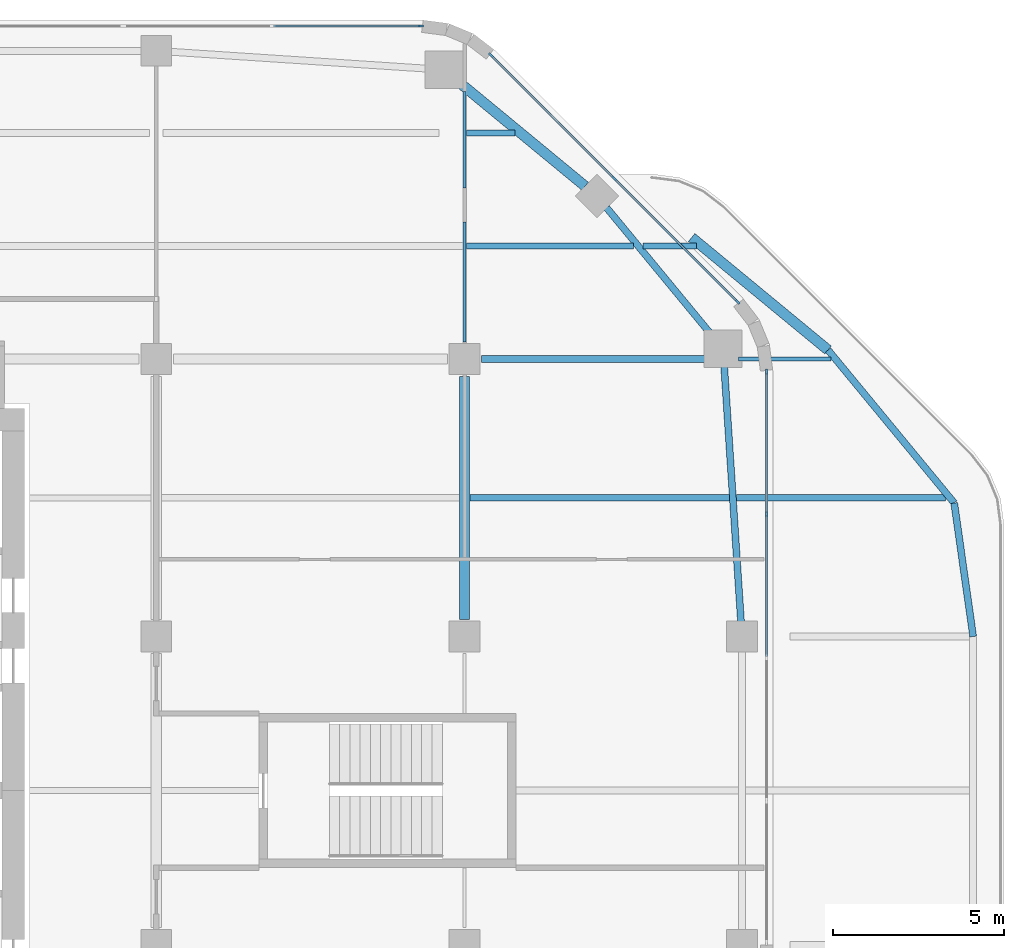
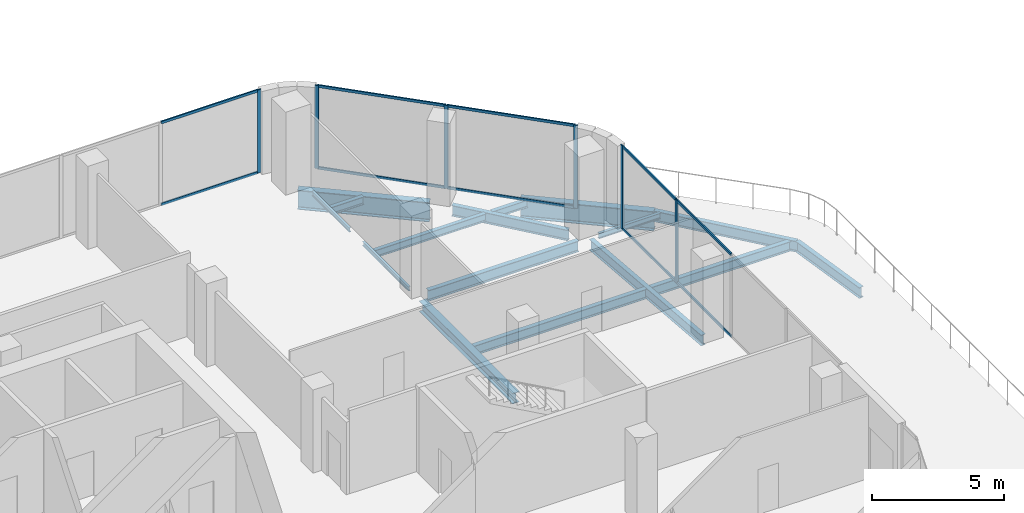
# One storey, part 22 of 29: 16 beams, 16 members, 3 elements without a shape of their own.
"""IFC4 building model written with IfcOpenShell, lengths in metres."""

from ifc_helpers import new_model, si_unit, direction, frame, origin, origin_2d, place, context, subcontext, project, spatial, rectangle, i_section, extrude, material, material_profile, profile_set, type_object, element, aggregate, save


model = new_model("IFC4")

# Units and contexts
model_context = context("Model", 3, precision=1e-05, world=origin(), true_north=direction((0.0, 1.0)))
body_context = subcontext(model_context, "Body", "Model", "MODEL_VIEW")
ifc_project = project(units=[si_unit("LENGTHUNIT", "METRE"), si_unit("AREAUNIT", "SQUARE_METRE"), si_unit("VOLUMEUNIT", "CUBIC_METRE"), si_unit("PLANEANGLEUNIT", "RADIAN"), si_unit("MASSUNIT", "GRAM", prefix="KILO")], contexts=[model_context])

# Site, building, storey
site_placement = place(None, origin())
site = spatial("IfcSite", under=ifc_project, at=site_placement, CompositionType="ELEMENT")
building_placement = place(site_placement, origin())
building = spatial("IfcBuilding", under=site, at=building_placement, Name="Cinnabar Reach Civic Tower", CompositionType="ELEMENT")
storey_placement = place(building_placement, frame((0.0, 0.0, 149.0)))
storey = spatial("IfcBuildingStorey", under=building, at=storey_placement, Name="L35", CompositionType="ELEMENT", Elevation=149.0)

# Beams
ifc_material_1 = material(Name="Steel Q355B", Category="steel")
ifc_material_profile_1 = material_profile(ifc_material_1, i_section(OverallWidth=0.3, OverallDepth=0.488, WebThickness=0.011, FlangeThickness=0.018, FilletRadius=0.016, at=origin_2d()), Name="HM488x300x11x18")
ifc_profile_set_1 = profile_set([ifc_material_profile_1], Name="Steel Q355B")
beam_type_1 = type_object("IfcBeamType", Name="HM488x300x11x18 beam R 180", PredefinedType="BEAM", material=ifc_profile_set_1)
beam_1_placement = place(storey_placement, frame((36.0, 36.502, -0.394), z_axis=(0.0, 1.0, 0.0), x_axis=(-1.0, 0.0, 0.0)))
element("IfcBeam", 1, at=beam_1_placement, inside=storey, type_object=beam_type_1, Name="Girder T1 L35 21", PredefinedType="BEAM", context=body_context, shape_type="SweptSolid", body=[
    extrude(i_section(OverallWidth=0.3, OverallDepth=0.488, WebThickness=0.011, FlangeThickness=0.018, FilletRadius=0.016, at=origin_2d()), origin(), (0.0, 0.0, 1.0), 7.096),
])
ifc_material_profile_2 = material_profile(ifc_material_1, i_section(OverallWidth=0.099, OverallDepth=0.198, WebThickness=0.0045, FlangeThickness=0.007, FilletRadius=0.013, at=origin_2d()), Name="HN200x100x5.5x8")
ifc_profile_set_2 = profile_set([ifc_material_profile_2], Name="Steel Q355B")
beam_type_2 = type_object("IfcBeamType", Name="HN200x100x5.5x8 beam R 180", PredefinedType="BEAM", material=ifc_profile_set_2)
beam_2_placement = place(storey_placement, frame((36.0, 44.602, -0.249), z_axis=(0.0, 1.0, 0.0), x_axis=(-1.0, 0.0, 0.0)))
element("IfcBeam", 2, at=beam_2_placement, inside=storey, type_object=beam_type_2, Name="Girder T1 L35 22", PredefinedType="BEAM", context=body_context, shape_type="SweptSolid", body=[
    extrude(i_section(OverallWidth=0.099, OverallDepth=0.198, WebThickness=0.0045, FlangeThickness=0.007, FilletRadius=0.013, at=origin_2d()), origin(), (0.0, 0.0, 1.0), 3.496),
])
beam_3_placement = place(storey_placement, frame((36.0, 49.102, -0.249), z_axis=(0.0, 1.0, 0.0), x_axis=(-1.0, 0.0, 0.0)))
element("IfcBeam", 3, at=beam_3_placement, inside=storey, type_object=beam_type_2, Name="Girder T1 L35 23", PredefinedType="BEAM", context=body_context, shape_type="SweptSolid", body=[
    extrude(i_section(OverallWidth=0.099, OverallDepth=0.198, WebThickness=0.0045, FlangeThickness=0.007, FilletRadius=0.013, at=origin_2d()), origin(), (0.0, 0.0, 1.0), 2.8162),
])
ifc_material_profile_3 = material_profile(ifc_material_1, i_section(OverallWidth=0.124, OverallDepth=0.248, WebThickness=0.005, FlangeThickness=0.008, FilletRadius=0.013, at=origin_2d()), Name="HN250x125x6x9")
ifc_profile_set_3 = profile_set([ifc_material_profile_3], Name="Steel Q355B")
beam_type_3 = type_object("IfcBeamType", Name="HN250x125x6x9 beam R 180", PredefinedType="BEAM", material=ifc_profile_set_3)
beam_4_placement = place(storey_placement, frame((43.9989, 44.1, -0.274), z_axis=(1.0, 0.0, 0.0), x_axis=(0.0, 1.0, 0.0)))
element("IfcBeam", 4, at=beam_4_placement, inside=storey, type_object=beam_type_3, Name="Girder T1 L35 15", PredefinedType="BEAM", context=body_context, shape_type="SweptSolid", body=[
    extrude(i_section(OverallWidth=0.124, OverallDepth=0.248, WebThickness=0.005, FlangeThickness=0.008, FilletRadius=0.013, at=origin_2d()), origin(), (0.0, 0.0, 1.0), 2.6999),
])
ifc_material_profile_4 = material_profile(ifc_material_1, i_section(OverallWidth=0.175, OverallDepth=0.35, WebThickness=0.007, FlangeThickness=0.011, FilletRadius=0.013, at=origin_2d()), Name="HN350x175x7x11")
ifc_profile_set_4 = profile_set([ifc_material_profile_4], Name="Steel Q355B")
beam_type_4 = type_object("IfcBeamType", Name="HN350x175x7x11 beam R 180", PredefinedType="BEAM", material=ifc_profile_set_4)
beam_5_placement = place(storey_placement, frame((36.0515, 47.4, -0.325), z_axis=(1.0, 0.0, 0.0), x_axis=(0.0, 1.0, 0.0)))
element("IfcBeam", 5, at=beam_5_placement, inside=storey, type_object=beam_type_4, Name="Secondary beam T1 L35 24", PredefinedType="BEAM", context=body_context, shape_type="SweptSolid", body=[
    extrude(i_section(OverallWidth=0.175, OverallDepth=0.35, WebThickness=0.007, FlangeThickness=0.011, FilletRadius=0.013, at=origin_2d()), origin(), (0.0, 0.0, 1.0), 4.8871),
])
beam_6_placement = place(storey_placement, frame((41.203, 47.4, -0.325), z_axis=(1.0, 0.0, 0.0), x_axis=(0.0, 1.0, 0.0)))
element("IfcBeam", 6, at=beam_6_placement, inside=storey, type_object=beam_type_4, Name="Secondary beam T1 L35 25", PredefinedType="BEAM", context=body_context, shape_type="SweptSolid", body=[
    extrude(i_section(OverallWidth=0.175, OverallDepth=0.35, WebThickness=0.007, FlangeThickness=0.011, FilletRadius=0.013, at=origin_2d()), origin(), (0.0, 0.0, 1.0), 1.5691),
])
beam_7_placement = place(storey_placement, frame((36.0515, 50.7, -0.325), z_axis=(1.0, 0.0, 0.0), x_axis=(0.0, 1.0, 0.0)))
element("IfcBeam", 7, at=beam_7_placement, inside=storey, type_object=beam_type_4, Name="Secondary beam T1 L35 31", PredefinedType="BEAM", context=body_context, shape_type="SweptSolid", body=[
    extrude(i_section(OverallWidth=0.175, OverallDepth=0.35, WebThickness=0.007, FlangeThickness=0.011, FilletRadius=0.013, at=origin_2d()), origin(), (0.0, 0.0, 1.0), 1.4254),
])
ifc_material_profile_5 = material_profile(ifc_material_1, i_section(OverallWidth=0.2, OverallDepth=0.45, WebThickness=0.009, FlangeThickness=0.014, FilletRadius=0.016, at=origin_2d()), Name="HN450x200x9x14")
ifc_profile_set_5 = profile_set([ifc_material_profile_5], Name="Steel Q355B")
beam_type_5 = type_object("IfcBeamType", Name="HN450x200x9x14 beam R 180", PredefinedType="BEAM", material=ifc_profile_set_5)
beam_8_placement = place(storey_placement, frame((36.152, 40.05, -0.375), z_axis=(1.0, 0.0, 0.0), x_axis=(0.0, 1.0, 0.0)))
element("IfcBeam", 8, at=beam_8_placement, inside=storey, type_object=beam_type_5, Name="Secondary beam T1 L35 18", PredefinedType="BEAM", context=body_context, shape_type="SweptSolid", body=[
    extrude(i_section(OverallWidth=0.2, OverallDepth=0.45, WebThickness=0.009, FlangeThickness=0.014, FilletRadius=0.016, at=origin_2d()), origin(), (0.0, 0.0, 1.0), 7.579),
])
beam_9_placement = place(storey_placement, frame((43.9355, 40.05, -0.375), z_axis=(1.0, 0.0, 0.0), x_axis=(0.0, 1.0, 0.0)))
element("IfcBeam", 9, at=beam_9_placement, inside=storey, type_object=beam_type_5, Name="Secondary beam T1 L35 19", PredefinedType="BEAM", context=body_context, shape_type="SweptSolid", body=[
    extrude(i_section(OverallWidth=0.2, OverallDepth=0.45, WebThickness=0.009, FlangeThickness=0.014, FilletRadius=0.016, at=origin_2d()), origin(), (0.0, 0.0, 1.0), 6.1039),
])
ifc_material_profile_6 = material_profile(ifc_material_1, i_section(OverallWidth=0.2, OverallDepth=0.5, WebThickness=0.01, FlangeThickness=0.016, FilletRadius=0.016, at=origin_2d()), Name="HN500x200x10x16")
ifc_profile_set_6 = profile_set([ifc_material_profile_6], Name="Steel Q355B")
beam_type_6 = type_object("IfcBeamType", Name="HN500x200x10x16 beam R 180", PredefinedType="BEAM", material=ifc_profile_set_6)
beam_10_placement = place(storey_placement, frame((44.0822, 36.2705, -0.4), z_axis=(-0.065725526553, 0.997837739895, 0.0), x_axis=(-0.997837739895, -0.065725526553, 0.0)))
element("IfcBeam", 10, at=beam_10_placement, inside=storey, type_object=beam_type_6, Name="Edge beam T1 L35 8", PredefinedType="BEAM", context=body_context, shape_type="SweptSolid", body=[
    extrude(i_section(OverallWidth=0.2, OverallDepth=0.5, WebThickness=0.01, FlangeThickness=0.016, FilletRadius=0.016, at=origin_2d()), origin(), (0.0, 0.0, 1.0), 7.6622),
])
beam_11_placement = place(storey_placement, frame((43.1493, 44.8801, -0.4), z_axis=(-0.6363041581, 0.77143827905, 0.0), x_axis=(-0.77143827905, -0.6363041581, 0.0)))
element("IfcBeam", 11, at=beam_11_placement, inside=storey, type_object=beam_type_6, Name="Edge beam T1 L35 9", PredefinedType="BEAM", context=body_context, shape_type="SweptSolid", body=[
    extrude(i_section(OverallWidth=0.2, OverallDepth=0.5, WebThickness=0.01, FlangeThickness=0.016, FilletRadius=0.016, at=origin_2d()), origin(), (0.0, 0.0, 1.0), 4.7198),
])
beam_12_placement = place(storey_placement, frame((50.85, 36.0, -0.4), z_axis=(-0.14048254112, 0.990083155922, 0.0), x_axis=(-0.990083155922, -0.14048254112, 0.0)))
element("IfcBeam", 12, at=beam_12_placement, inside=storey, type_object=beam_type_6, Name="Edge beam T1 L35 32", PredefinedType="BEAM", context=body_context, shape_type="SweptSolid", body=[
    extrude(i_section(OverallWidth=0.2, OverallDepth=0.5, WebThickness=0.01, FlangeThickness=0.016, FilletRadius=0.016, at=origin_2d()), origin(), (0.0, 0.0, 1.0), 3.9371),
])
beam_13_placement = place(storey_placement, frame((50.2969, 39.8981, -0.4), z_axis=(-0.636307142697, 0.77143581726, 0.0), x_axis=(-0.77143581726, -0.636307142697, 0.0)))
element("IfcBeam", 13, at=beam_13_placement, inside=storey, type_object=beam_type_6, Name="Edge beam T1 L35 33", PredefinedType="BEAM", context=body_context, shape_type="SweptSolid", body=[
    extrude(i_section(OverallWidth=0.2, OverallDepth=0.5, WebThickness=0.01, FlangeThickness=0.016, FilletRadius=0.016, at=origin_2d()), origin(), (0.0, 0.0, 1.0), 5.7886),
])
beam_14_placement = place(storey_placement, frame((36.502, 44.1, -0.4), z_axis=(1.0, 0.0, 0.0), x_axis=(0.0, 1.0, 0.0)))
element("IfcBeam", 14, at=beam_14_placement, inside=storey, type_object=beam_type_6, Name="Girder T1 L35 14", PredefinedType="BEAM", context=body_context, shape_type="SweptSolid", body=[
    extrude(i_section(OverallWidth=0.2, OverallDepth=0.5, WebThickness=0.01, FlangeThickness=0.016, FilletRadius=0.016, at=origin_2d()), origin(), (0.0, 0.0, 1.0), 6.5929),
])
ifc_material_profile_7 = material_profile(ifc_material_1, i_section(OverallWidth=0.3, OverallDepth=0.9, WebThickness=0.016, FlangeThickness=0.028, FilletRadius=0.02, at=origin_2d()), Name="HN900x300x16x28")
ifc_profile_set_7 = profile_set([ifc_material_profile_7], Name="Steel Q355B")
beam_type_7 = type_object("IfcBeamType", Name="TRANSFER HN900x300x16x28 R 240", PredefinedType="BEAM", material=ifc_profile_set_7)
beam_15_placement = place(storey_placement, frame((39.5211, 49.1461, -0.6), z_axis=(-0.771442660792, 0.636298845755, 0.0), x_axis=(-0.636298845755, -0.771442660792, 0.0)))
element("IfcBeam", 15, at=beam_15_placement, inside=storey, type_object=beam_type_7, Name="Edge beam T1 L35 10", PredefinedType="BEAM", context=body_context, shape_type="SweptSolid", body=[
    extrude(i_section(OverallWidth=0.3, OverallDepth=0.9, WebThickness=0.016, FlangeThickness=0.028, FilletRadius=0.02, at=origin_2d()), origin(), (0.0, 0.0, 1.0), 5.0761),
])
beam_16_placement = place(storey_placement, frame((46.6136, 44.3636, -0.6), z_axis=(-0.771438631515, 0.636303730782, 0.0), x_axis=(-0.636303730782, -0.771438631515, 0.0)))
element("IfcBeam", 16, at=beam_16_placement, inside=storey, type_object=beam_type_7, Name="Edge beam T1 L35 34", PredefinedType="BEAM", context=body_context, shape_type="SweptSolid", body=[
    extrude(i_section(OverallWidth=0.3, OverallDepth=0.9, WebThickness=0.016, FlangeThickness=0.028, FilletRadius=0.02, at=origin_2d()), origin(), (0.0, 0.0, 1.0), 5.1637),
])

# Curtain wall, members
ifc_material_2 = material(Name="Aluminium and clear double glazing", Category="aluminium")
curtain_wall_type = type_object("IfcCurtainWallType", Name="Tower 1 sky lobby curtain wall", PredefinedType="NOTDEFINED", material=ifc_material_2)
curtain_wall_1_placement = place(storey_placement, origin())
curtain_wall_1 = element("IfcCurtainWall", 17, at=curtain_wall_1_placement, inside=storey, type_object=curtain_wall_type, Name="Tower 1 sky lobby 6", PredefinedType="NOTDEFINED")
ifc_material_3 = material(Name="Aluminium", Category="aluminium")
ifc_material_profile_8 = material_profile(ifc_material_3, rectangle(XDim=0.06, YDim=0.16, at=origin_2d()), Name="Tower 1 sky lobby mullion")
ifc_profile_set_8 = profile_set([ifc_material_profile_8], Name="Aluminium")
member_type_1 = type_object("IfcMemberType", Name="Tower 1 sky lobby mullion", PredefinedType="MULLION", material=ifc_profile_set_8)
member_1_placement = place(storey_placement, frame((44.82, 39.5755, 0.0), z_axis=(0.0, 0.0, 1.0), x_axis=(-1.0, 0.0, 0.0)))
member_1 = element("IfcMember", 18, at=member_1_placement, type_object=member_type_1, Name="CW-T1SKY-6 mullion 4", PredefinedType="MULLION", context=body_context, shape_type="SweptSolid", body=[
    extrude(rectangle(XDim=0.06, YDim=0.16, at=origin_2d()), origin(), (0.0, 0.0, 1.0), 3.85),
])
member_2_placement = place(storey_placement, frame((44.82, 43.7274, 0.0), z_axis=(0.0, 0.0, 1.0), x_axis=(-1.0, 0.0, 0.0)))
member_2 = element("IfcMember", 19, at=member_2_placement, type_object=member_type_1, Name="CW-T1SKY-6 mullion 5", PredefinedType="MULLION", context=body_context, shape_type="SweptSolid", body=[
    extrude(rectangle(XDim=0.06, YDim=0.16, at=origin_2d()), origin(), (0.0, 0.0, 1.0), 3.85),
])

curtain_wall_2_placement = place(storey_placement, origin())
curtain_wall_2 = element("IfcCurtainWall", 20, at=curtain_wall_2_placement, inside=storey, type_object=curtain_wall_type, Name="Tower 1 sky lobby 7", PredefinedType="NOTDEFINED")
member_3_placement = place(storey_placement, frame((43.9728, 45.7726, 0.0), z_axis=(0.0, 0.0, 1.0), x_axis=(-0.707106781187, -0.707106781187, 0.0)))
member_3 = element("IfcMember", 21, at=member_3_placement, type_object=member_type_1, Name="CW-T1SKY-7 mullion 1", PredefinedType="MULLION", context=body_context, shape_type="SweptSolid", body=[
    extrude(rectangle(XDim=0.06, YDim=0.16, at=origin_2d()), origin(), (0.0, 0.0, 1.0), 3.85),
])
member_4_placement = place(storey_placement, frame((40.3727, 49.3727, 0.0), z_axis=(0.0, 0.0, 1.0), x_axis=(-0.707106781187, -0.707106781187, 0.0)))
member_4 = element("IfcMember", 22, at=member_4_placement, type_object=member_type_1, Name="CW-T1SKY-7 mullion 2", PredefinedType="MULLION", context=body_context, shape_type="SweptSolid", body=[
    extrude(rectangle(XDim=0.06, YDim=0.16, at=origin_2d()), origin(), (0.0, 0.0, 1.0), 3.85),
])
member_5_placement = place(storey_placement, frame((36.7726, 52.9728, 0.0), z_axis=(0.0, 0.0, 1.0), x_axis=(-0.707106781187, -0.707106781187, 0.0)))
member_5 = element("IfcMember", 23, at=member_5_placement, type_object=member_type_1, Name="CW-T1SKY-7 mullion 3", PredefinedType="MULLION", context=body_context, shape_type="SweptSolid", body=[
    extrude(rectangle(XDim=0.06, YDim=0.16, at=origin_2d()), origin(), (0.0, 0.0, 1.0), 3.85),
])

# Curtain wall, member
curtain_wall_3_placement = place(storey_placement, origin())
curtain_wall_3 = element("IfcCurtainWall", 24, at=curtain_wall_3_placement, inside=storey, type_object=curtain_wall_type, Name="Tower 1 sky lobby 8", PredefinedType="NOTDEFINED")
member_6_placement = place(storey_placement, frame((34.7274, 53.82, 0.0), z_axis=(0.0, 0.0, 1.0), x_axis=(0.0, -1.0, 0.0)))
member_6 = element("IfcMember", 25, at=member_6_placement, type_object=member_type_1, Name="CW-T1SKY-8 mullion 1", PredefinedType="MULLION", context=body_context, shape_type="SweptSolid", body=[
    extrude(rectangle(XDim=0.06, YDim=0.16, at=origin_2d()), origin(), (0.0, 0.0, 1.0), 3.85),
])

# Member
ifc_material_profile_9 = material_profile(ifc_material_3, rectangle(XDim=0.06, YDim=0.12, at=origin_2d()), Name="Tower 1 sky lobby transom")
ifc_profile_set_9 = profile_set([ifc_material_profile_9], Name="Aluminium")
member_type_2 = type_object("IfcMemberType", Name="Tower 1 sky lobby transom", PredefinedType="USERDEFINED", material=ifc_profile_set_9)
member_7_placement = place(storey_placement, frame((44.82, 35.4237, 0.03), z_axis=(0.0, 1.0, 0.0), x_axis=(-1.0, 0.0, 0.0)))
member_7 = element("IfcMember", 26, at=member_7_placement, type_object=member_type_2, Name="CW-T1SKY-6 transom 3.1", ObjectType="TRANSOM", PredefinedType="USERDEFINED", context=body_context, shape_type="SweptSolid", body=[
    extrude(rectangle(XDim=0.06, YDim=0.12, at=origin_2d()), origin(), (0.0, 0.0, 1.0), 4.1218),
])

member_8_placement = place(storey_placement, frame((44.82, 35.4237, 3.82), z_axis=(0.0, 1.0, 0.0), x_axis=(-1.0, 0.0, 0.0)))
member_8 = element("IfcMember", 27, at=member_8_placement, type_object=member_type_2, Name="CW-T1SKY-6 transom 3.2", ObjectType="TRANSOM", PredefinedType="USERDEFINED", context=body_context, shape_type="SweptSolid", body=[
    extrude(rectangle(XDim=0.06, YDim=0.12, at=origin_2d()), origin(), (0.0, 0.0, 1.0), 4.1218),
])

member_9_placement = place(storey_placement, frame((44.82, 39.6056, 0.03), z_axis=(0.0, 1.0, 0.0), x_axis=(-1.0, 0.0, 0.0)))
member_9 = element("IfcMember", 28, at=member_9_placement, type_object=member_type_2, Name="CW-T1SKY-6 transom 4.1", ObjectType="TRANSOM", PredefinedType="USERDEFINED", context=body_context, shape_type="SweptSolid", body=[
    extrude(rectangle(XDim=0.06, YDim=0.12, at=origin_2d()), origin(), (0.0, 0.0, 1.0), 4.0918),
])

member_10_placement = place(storey_placement, frame((44.82, 39.6056, 3.82), z_axis=(0.0, 1.0, 0.0), x_axis=(-1.0, 0.0, 0.0)))
member_10 = element("IfcMember", 29, at=member_10_placement, type_object=member_type_2, Name="CW-T1SKY-6 transom 4.2", ObjectType="TRANSOM", PredefinedType="USERDEFINED", context=body_context, shape_type="SweptSolid", body=[
    extrude(rectangle(XDim=0.06, YDim=0.12, at=origin_2d()), origin(), (0.0, 0.0, 1.0), 4.0918),
])

aggregate(curtain_wall_1, [member_1, member_2, member_7, member_8, member_9, member_10])

member_11_placement = place(storey_placement, frame((43.9516, 45.7938, 0.03), z_axis=(-0.707106781187, 0.707106781187, 0.0), x_axis=(-0.707106781187, -0.707106781187, 0.0)))
member_11 = element("IfcMember", 30, at=member_11_placement, type_object=member_type_2, Name="CW-T1SKY-7 transom 1.1", ObjectType="TRANSOM", PredefinedType="USERDEFINED", context=body_context, shape_type="SweptSolid", body=[
    extrude(rectangle(XDim=0.06, YDim=0.12, at=origin_2d()), origin(), (0.0, 0.0, 1.0), 5.0313),
])

member_12_placement = place(storey_placement, frame((43.9516, 45.7938, 3.82), z_axis=(-0.707106781187, 0.707106781187, 0.0), x_axis=(-0.707106781187, -0.707106781187, 0.0)))
member_12 = element("IfcMember", 31, at=member_12_placement, type_object=member_type_2, Name="CW-T1SKY-7 transom 1.2", ObjectType="TRANSOM", PredefinedType="USERDEFINED", context=body_context, shape_type="SweptSolid", body=[
    extrude(rectangle(XDim=0.06, YDim=0.12, at=origin_2d()), origin(), (0.0, 0.0, 1.0), 5.0313),
])

member_13_placement = place(storey_placement, frame((40.3515, 49.3939, 0.03), z_axis=(-0.707106781187, 0.707106781187, 0.0), x_axis=(-0.707106781187, -0.707106781187, 0.0)))
member_13 = element("IfcMember", 32, at=member_13_placement, type_object=member_type_2, Name="CW-T1SKY-7 transom 2.1", ObjectType="TRANSOM", PredefinedType="USERDEFINED", context=body_context, shape_type="SweptSolid", body=[
    extrude(rectangle(XDim=0.06, YDim=0.12, at=origin_2d()), origin(), (0.0, 0.0, 1.0), 5.0313),
])

member_14_placement = place(storey_placement, frame((40.3515, 49.3939, 3.82), z_axis=(-0.707106781187, 0.707106781187, 0.0), x_axis=(-0.707106781187, -0.707106781187, 0.0)))
member_14 = element("IfcMember", 33, at=member_14_placement, type_object=member_type_2, Name="CW-T1SKY-7 transom 2.2", ObjectType="TRANSOM", PredefinedType="USERDEFINED", context=body_context, shape_type="SweptSolid", body=[
    extrude(rectangle(XDim=0.06, YDim=0.12, at=origin_2d()), origin(), (0.0, 0.0, 1.0), 5.0313),
])

aggregate(curtain_wall_2, [member_3, member_4, member_5, member_11, member_12, member_13, member_14])

member_15_placement = place(storey_placement, frame((34.6974, 53.82, 0.03), z_axis=(-1.0, 0.0, 0.0), x_axis=(0.0, -1.0, 0.0)))
member_15 = element("IfcMember", 34, at=member_15_placement, type_object=member_type_2, Name="CW-T1SKY-8 transom 1.1", ObjectType="TRANSOM", PredefinedType="USERDEFINED", context=body_context, shape_type="SweptSolid", body=[
    extrude(rectangle(XDim=0.06, YDim=0.12, at=origin_2d()), origin(), (0.0, 0.0, 1.0), 4.2693),
])

member_16_placement = place(storey_placement, frame((34.6974, 53.82, 3.82), z_axis=(-1.0, 0.0, 0.0), x_axis=(0.0, -1.0, 0.0)))
member_16 = element("IfcMember", 35, at=member_16_placement, type_object=member_type_2, Name="CW-T1SKY-8 transom 1.2", ObjectType="TRANSOM", PredefinedType="USERDEFINED", context=body_context, shape_type="SweptSolid", body=[
    extrude(rectangle(XDim=0.06, YDim=0.12, at=origin_2d()), origin(), (0.0, 0.0, 1.0), 4.2693),
])

aggregate(curtain_wall_3, [member_6, member_15, member_16])

save(model, "model.ifc")
